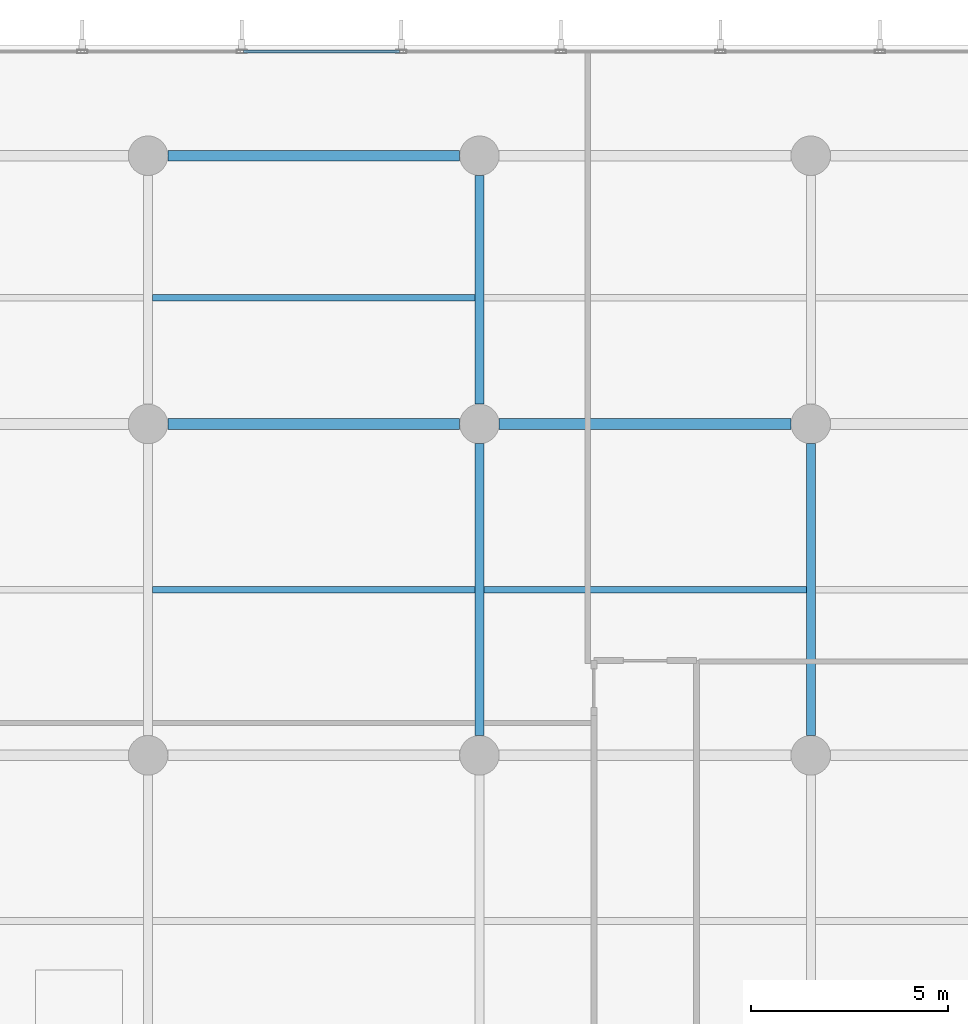
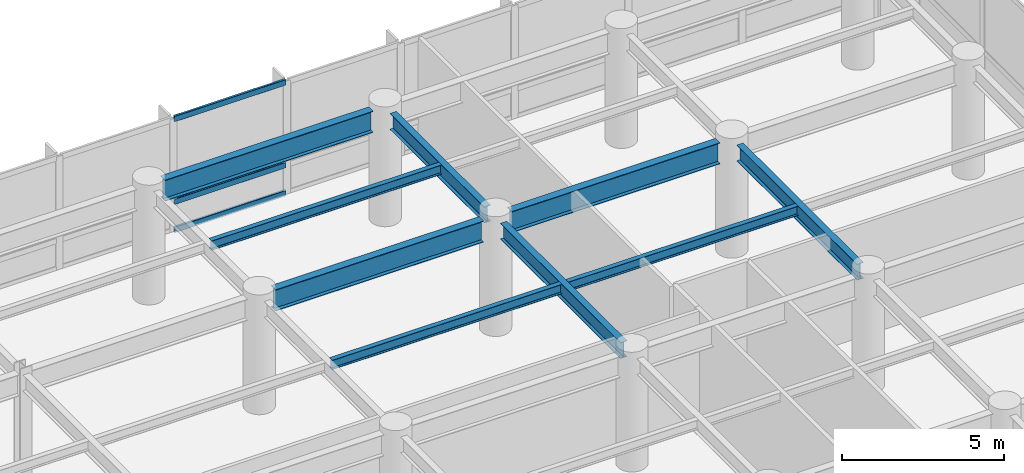
# One storey, part 10 of 26: 9 beams, 3 members, 1 element without a shape of its own.
"""IFC4 building model written with IfcOpenShell, lengths in metres."""

from ifc_helpers import new_model, si_unit, direction, frame, origin, origin_2d, place, context, subcontext, project, spatial, hollow_rectangle, i_section, extrude, material, layer, layer_set, material_profile, profile_set, type_object, element, aggregate, save


model = new_model("IFC4")

# Units and contexts
model_context = context("Model", 3, precision=1e-05, world=origin(), true_north=direction((0.0, 1.0)))
body_context = subcontext(model_context, "Body", "Model", "MODEL_VIEW")
ifc_project = project(units=[si_unit("LENGTHUNIT", "METRE"), si_unit("AREAUNIT", "SQUARE_METRE"), si_unit("VOLUMEUNIT", "CUBIC_METRE"), si_unit("PLANEANGLEUNIT", "RADIAN"), si_unit("MASSUNIT", "GRAM", prefix="KILO")], contexts=[model_context])

# Site, building, storey
site_placement = place(None, origin())
site = spatial("IfcSite", under=ifc_project, at=site_placement, CompositionType="ELEMENT")
building_placement = place(site_placement, origin())
building = spatial("IfcBuilding", under=site, at=building_placement, Name="Varnakote Quay Hospital", CompositionType="ELEMENT")
storey_placement = place(building_placement, frame((0.0, 0.0, 9.0)))
storey = spatial("IfcBuildingStorey", under=building, at=storey_placement, Name="L02", CompositionType="ELEMENT", Elevation=9.0)

# Beams
ifc_material_1 = material(Name="Structural steel AS/NZS 3679.1 Grade 350 L0 (fy 340 MPa)", Category="steel")
ifc_material_profile_1 = material_profile(ifc_material_1, i_section(OverallWidth=0.22802734375, OverallDepth=0.60205078125, WebThickness=0.010498046875, FlangeThickness=0.014892578125, FilletRadius=0.013916015625, at=origin_2d()), Name="610UB101")
ifc_profile_set_1 = profile_set([ifc_material_profile_1], Name="Structural steel AS/NZS 3679.1 Grade 350 L0 (fy 340 MPa)")
beam_type_1 = type_object("IfcBeamType", Name="BM-STL-610UB101", PredefinedType="BEAM", material=ifc_profile_set_1)
beam_1_placement = place(storey_placement, frame((67.199951171875, 29.300048828125, 3.948974609375), z_axis=(0.0, 1.0, 0.0), x_axis=(-1.0, 0.0, 0.0)))
element("IfcBeam", 1, at=beam_1_placement, inside=storey, type_object=beam_type_1, Name="L02 Primary Tie Beam", PredefinedType="BEAM", context=body_context, shape_type="SweptSolid", body=[
    extrude(i_section(OverallWidth=0.22802734375, OverallDepth=0.60205078125, WebThickness=0.010498046875, FlangeThickness=0.014892578125, FilletRadius=0.013916015625, at=origin_2d()), origin(), (0.0, 0.0, 1.0), 7.39990234375),
])
beam_2_placement = place(storey_placement, frame((67.199951171875, 37.699951171875, 3.948974609375), z_axis=(0.0, 1.0, 0.0), x_axis=(-1.0, 0.0, 0.0)))
element("IfcBeam", 2, at=beam_2_placement, inside=storey, type_object=beam_type_1, Name="L02 Primary Tie Beam", PredefinedType="BEAM", context=body_context, shape_type="SweptSolid", body=[
    extrude(i_section(OverallWidth=0.22802734375, OverallDepth=0.60205078125, WebThickness=0.010498046875, FlangeThickness=0.014892578125, FilletRadius=0.013916015625, at=origin_2d()), origin(), (0.0, 0.0, 1.0), 5.800048828125),
])
beam_3_placement = place(storey_placement, frame((75.60009765625, 29.300048828125, 3.948974609375), z_axis=(0.0, 1.0, 0.0), x_axis=(-1.0, 0.0, 0.0)))
element("IfcBeam", 3, at=beam_3_placement, inside=storey, type_object=beam_type_1, Name="L02 Primary Tie Beam", PredefinedType="BEAM", context=body_context, shape_type="SweptSolid", body=[
    extrude(i_section(OverallWidth=0.22802734375, OverallDepth=0.60205078125, WebThickness=0.010498046875, FlangeThickness=0.014892578125, FilletRadius=0.013916015625, at=origin_2d()), origin(), (0.0, 0.0, 1.0), 7.39990234375),
])
ifc_material_2 = material(Name="Structural steel AS/NZS 3678 Grade 350 (fy 340 MPa)", Category="steel")
ifc_material_profile_2 = material_profile(ifc_material_2, i_section(OverallWidth=0.27490234375, OverallDepth=0.800048828125, WebThickness=0.010009765625, FlangeThickness=0.02001953125, at=origin_2d()), Name="800WB146")
ifc_profile_set_2 = profile_set([ifc_material_profile_2], Name="Structural steel AS/NZS 3678 Grade 350 (fy 340 MPa)")
beam_type_2 = type_object("IfcBeamType", Name="BM-STL-800WB146", PredefinedType="BEAM", material=ifc_profile_set_2)
beam_4_placement = place(storey_placement, frame((59.300048828125, 37.199951171875, 3.85009765625), z_axis=(1.0, 0.0, 0.0), x_axis=(0.0, 1.0, 0.0)))
element("IfcBeam", 4, at=beam_4_placement, inside=storey, type_object=beam_type_2, Name="L02 Primary Floor Beam", PredefinedType="BEAM", context=body_context, shape_type="SweptSolid", body=[
    extrude(i_section(OverallWidth=0.27490234375, OverallDepth=0.800048828125, WebThickness=0.010009765625, FlangeThickness=0.02001953125, at=origin_2d()), origin(), (0.0, 0.0, 1.0), 7.39990234375),
])
beam_5_placement = place(storey_placement, frame((67.699951171875, 37.199951171875, 3.85009765625), z_axis=(1.0, 0.0, 0.0), x_axis=(0.0, 1.0, 0.0)))
element("IfcBeam", 5, at=beam_5_placement, inside=storey, type_object=beam_type_2, Name="L02 Primary Floor Beam", PredefinedType="BEAM", context=body_context, shape_type="SweptSolid", body=[
    extrude(i_section(OverallWidth=0.27490234375, OverallDepth=0.800048828125, WebThickness=0.010009765625, FlangeThickness=0.02001953125, at=origin_2d()), origin(), (0.0, 0.0, 1.0), 7.400146484375),
])
beam_6_placement = place(storey_placement, frame((59.300048828125, 44.0, 3.85009765625), z_axis=(1.0, 0.0, 0.0), x_axis=(0.0, 1.0, 0.0)))
element("IfcBeam", 6, at=beam_6_placement, inside=storey, type_object=beam_type_2, Name="L02 Primary Floor Beam", PredefinedType="BEAM", context=body_context, shape_type="SweptSolid", body=[
    extrude(i_section(OverallWidth=0.27490234375, OverallDepth=0.800048828125, WebThickness=0.010009765625, FlangeThickness=0.02001953125, at=origin_2d()), origin(), (0.0, 0.0, 1.0), 7.39990234375),
])

# Curtain wall, members
ifc_material_3 = material(Name="Anodised aluminium 6063-T6 Bronze", Category="aluminium")
ifc_layer = layer(ifc_material_3, 0.175048828125)
ifc_layer_set = layer_set([ifc_layer], Name="Anodised aluminium 6063-T6 Bronze")
curtain_wall_type = type_object("IfcCurtainWallType", Name="CW-SYS-1", PredefinedType="NOTDEFINED", material=ifc_layer_set)
curtain_wall_placement = place(storey_placement, origin())
curtain_wall = element("IfcCurtainWall", 7, at=curtain_wall_placement, inside=storey, type_object=curtain_wall_type, Name="L02 Unitised Bronze Curtain Wall 2", PredefinedType="NOTDEFINED")
ifc_material_4 = material(Name="Anodised aluminium 6063-T6 Bronze", Category="aluminium")
ifc_material_profile_3 = material_profile(ifc_material_4, hollow_rectangle(XDim=0.0849609375, YDim=0.2099609375, WallThickness=0.00439453125, InnerFilletRadius=0.00439453125, OuterFilletRadius=0.009033203125, at=origin_2d()), Name="CW-TRAN-210x85")
ifc_profile_set_3 = profile_set([ifc_material_profile_3], Name="Anodised aluminium 6063-T6 Bronze")
member_type = type_object("IfcMemberType", Name="CW-TRAN-210x85", PredefinedType="USERDEFINED", material=ifc_profile_set_3)
member_1_placement = place(storey_placement, frame((65.179931640625, 46.639892578125, 0.04248046875), z_axis=(-1.0, 0.0, 0.0), x_axis=(0.0, -1.0, 0.0)))
member_1 = element("IfcMember", 8, at=member_1_placement, type_object=member_type, Name="-1-L02-2 transom 6.1", ObjectType="TRANSOM", PredefinedType="USERDEFINED", context=body_context, shape_type="SweptSolid", body=[
    extrude(hollow_rectangle(XDim=0.0849609375, YDim=0.2099609375, WallThickness=0.00439453125, InnerFilletRadius=0.00439453125, OuterFilletRadius=0.009033203125, at=origin_2d()), origin(), (0.0, 0.0, 1.0), 3.95849609375),
])
member_2_placement = place(storey_placement, frame((65.179931640625, 46.639892578125, 1.10009765625), z_axis=(-1.0, 0.0, 0.0), x_axis=(0.0, -1.0, 0.0)))
member_2 = element("IfcMember", 9, at=member_2_placement, type_object=member_type, Name="-1-L02-2 transom 6.2", ObjectType="TRANSOM", PredefinedType="USERDEFINED", context=body_context, shape_type="SweptSolid", body=[
    extrude(hollow_rectangle(XDim=0.0849609375, YDim=0.2099609375, WallThickness=0.00439453125, InnerFilletRadius=0.00439453125, OuterFilletRadius=0.009033203125, at=origin_2d()), origin(), (0.0, 0.0, 1.0), 3.95849609375),
])
member_3_placement = place(storey_placement, frame((65.179931640625, 46.639892578125, 4.20751953125), z_axis=(-1.0, 0.0, 0.0), x_axis=(0.0, -1.0, 0.0)))
member_3 = element("IfcMember", 10, at=member_3_placement, type_object=member_type, Name="-1-L02-2 transom 6.3", ObjectType="TRANSOM", PredefinedType="USERDEFINED", context=body_context, shape_type="SweptSolid", body=[
    extrude(hollow_rectangle(XDim=0.0849609375, YDim=0.2099609375, WallThickness=0.00439453125, InnerFilletRadius=0.00439453125, OuterFilletRadius=0.009033203125, at=origin_2d()), origin(), (0.0, 0.0, 1.0), 3.95849609375),
])
aggregate(curtain_wall, [member_1, member_2, member_3])

# Beams
ifc_material_5 = material(Name="Structural steel AS/NZS 3679.1 Grade 350 L0 (fy 340 MPa)", Category="steel")
ifc_material_profile_4 = material_profile(ifc_material_5, i_section(OverallWidth=0.1708984375, OverallDepth=0.35595703125, WebThickness=0.00732421875, FlangeThickness=0.011474609375, FilletRadius=0.011474609375, at=origin_2d()), Name="360UB50.7")
ifc_profile_set_4 = profile_set([ifc_material_profile_4], Name="Structural steel AS/NZS 3679.1 Grade 350 L0 (fy 340 MPa)")
beam_type_3 = type_object("IfcBeamType", Name="JST-STL-360UB50-7", PredefinedType="JOIST", material=ifc_profile_set_4)
beam_7_placement = place(storey_placement, frame((58.9140625, 33.0, 4.072021484375), z_axis=(1.0, 0.0, 0.0), x_axis=(0.0, 1.0, 0.0)))
element("IfcBeam", 11, at=beam_7_placement, inside=storey, type_object=beam_type_3, Name="L02 Composite Floor Joist", PredefinedType="JOIST", context=body_context, shape_type="SweptSolid", body=[
    extrude(i_section(OverallWidth=0.1708984375, OverallDepth=0.35595703125, WebThickness=0.00732421875, FlangeThickness=0.011474609375, FilletRadius=0.011474609375, at=origin_2d()), origin(), (0.0, 0.0, 1.0), 8.171875),
])
beam_8_placement = place(storey_placement, frame((67.31396484375, 33.0, 4.072021484375), z_axis=(1.0, 0.0, 0.0), x_axis=(0.0, 1.0, 0.0)))
element("IfcBeam", 12, at=beam_8_placement, inside=storey, type_object=beam_type_3, Name="L02 Composite Floor Joist", PredefinedType="JOIST", context=body_context, shape_type="SweptSolid", body=[
    extrude(i_section(OverallWidth=0.1708984375, OverallDepth=0.35595703125, WebThickness=0.00732421875, FlangeThickness=0.011474609375, FilletRadius=0.011474609375, at=origin_2d()), origin(), (0.0, 0.0, 1.0), 8.172119140625),
])
beam_9_placement = place(storey_placement, frame((58.9140625, 40.39990234375, 4.072021484375), z_axis=(1.0, 0.0, 0.0), x_axis=(0.0, 1.0, 0.0)))
element("IfcBeam", 13, at=beam_9_placement, inside=storey, type_object=beam_type_3, Name="L02 Composite Floor Joist", PredefinedType="JOIST", context=body_context, shape_type="SweptSolid", body=[
    extrude(i_section(OverallWidth=0.1708984375, OverallDepth=0.35595703125, WebThickness=0.00732421875, FlangeThickness=0.011474609375, FilletRadius=0.011474609375, at=origin_2d()), origin(), (0.0, 0.0, 1.0), 8.171875),
])

save(model, "model.ifc")
